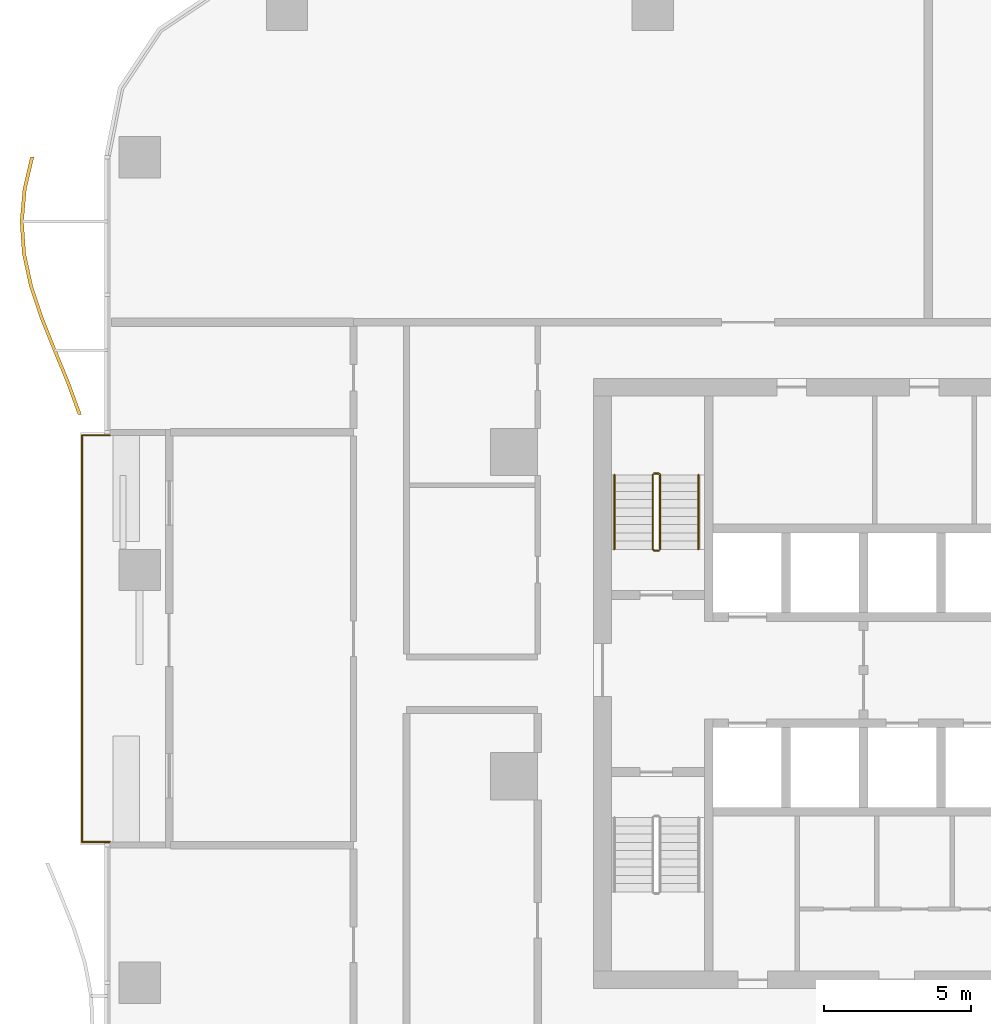
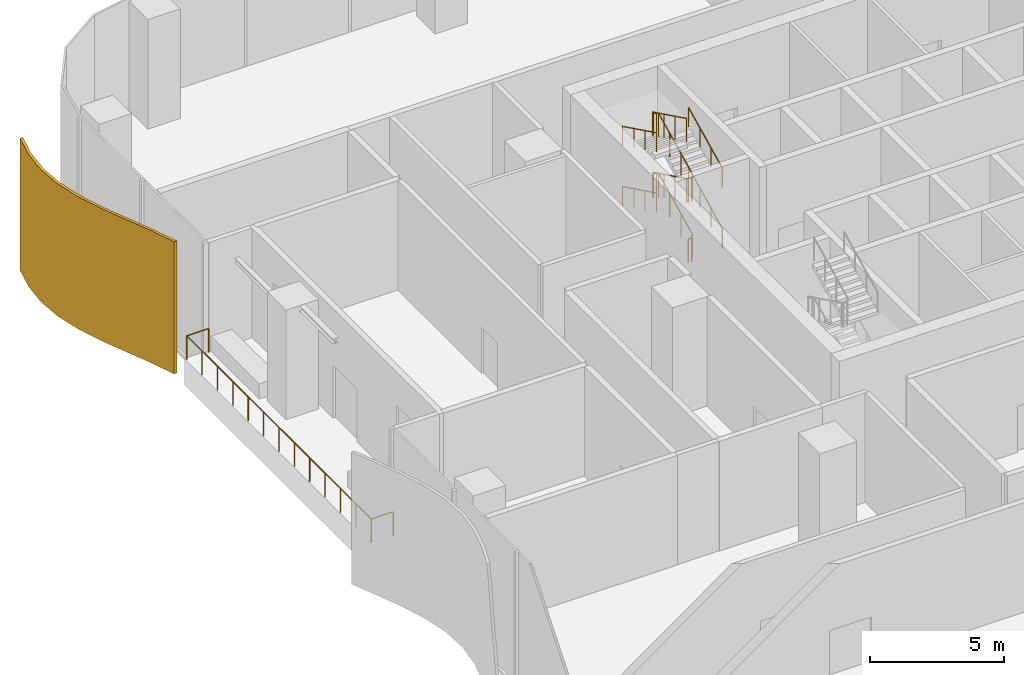
# One storey, part 18 of 21: 10 railings, 1 shading device.
"""IFC4 building model written with IfcOpenShell, lengths in metres."""

from ifc_helpers import new_model, si_unit, direction, frame, origin, origin_2d, place, context, subcontext, project, spatial, polyline, circle, outline, extrude, material, layer, layer_set, type_object, element, save


model = new_model("IFC4")

# Units and contexts
model_context = context("Model", 3, precision=1e-05, world=origin(), true_north=direction((0.0, 1.0)))
body_context = subcontext(model_context, "Body", "Model", "MODEL_VIEW")
ifc_project = project(units=[si_unit("LENGTHUNIT", "METRE"), si_unit("AREAUNIT", "SQUARE_METRE"), si_unit("VOLUMEUNIT", "CUBIC_METRE"), si_unit("PLANEANGLEUNIT", "RADIAN"), si_unit("MASSUNIT", "GRAM", prefix="KILO")], contexts=[model_context])

# Site, building, storey
site_placement = place(None, origin())
site = spatial("IfcSite", under=ifc_project, at=site_placement, CompositionType="ELEMENT")
building_placement = place(site_placement, origin())
building = spatial("IfcBuilding", under=site, at=building_placement, Name="Mopane Tessera Tower", CompositionType="ELEMENT")
storey_placement = place(building_placement, frame((0.0, 0.0, 9.0)))
storey = spatial("IfcBuildingStorey", under=building, at=storey_placement, Name="L01", CompositionType="ELEMENT", Elevation=9.0)

# Railings
ifc_material_1 = material(Name="Powder-coated steel balustrade", Category="steel")
railing_type_1 = type_object("IfcRailingType", Name="Escape stair guard 1100 mm", PredefinedType="GUARDRAIL", material=ifc_material_1)
railing_1_placement = place(storey_placement, frame((-12.14990234375, 7.699951171875, 0.137451171875)))
element("IfcRailing", 1, at=railing_1_placement, inside=storey, type_object=railing_type_1, Name="L01 ST2 stair guard 1", PredefinedType="GUARDRAIL", context=body_context, shape_type="SweptSolid", body=[
    extrude(circle(Radius=0.02392578125, at=origin_2d()), frame((0.0, 0.0, 1.076171875), z_axis=(0.0, 0.897604431175, 0.440801866075), x_axis=(-1.0, 0.0, 0.0)), (0.0, 0.0, 1.0), 2.807373046875),
    extrude(circle(Radius=0.02392578125, at=origin_2d()), frame((0.0, 2.52001953125, 2.3134765625), z_axis=(-0.707106781187, 0.707106781187, 0.0), x_axis=(-0.707106781187, -0.707106781187, 0.0)), (0.0, 0.0, 1.0), 0.07080078125),
    extrude(circle(Radius=0.02392578125, at=origin_2d()), frame((-0.050048828125, 2.570068359375, 2.3134765625), z_axis=(-1.0, 0.0, 0.0), x_axis=(0.0, -1.0, 0.0)), (0.0, 0.0, 1.0), 0.150146484375),
    extrude(circle(Radius=0.02099609375, at=origin_2d()), origin(), (0.0, 0.0, 1.0), 1.052001953125),
    extrude(circle(Radius=0.02099609375, at=origin_2d()), frame((0.0, 0.840087890625, 0.41259765625)), (0.0, 0.0, 1.0), 1.052001953125),
    extrude(circle(Radius=0.02099609375, at=origin_2d()), frame((0.0, 1.679931640625, 0.824951171875)), (0.0, 0.0, 1.0), 1.052001953125),
    extrude(circle(Radius=0.02099609375, at=origin_2d()), frame((0.0, 2.52001953125, 1.237548828125)), (0.0, 0.0, 1.0), 1.052001953125),
    extrude(circle(Radius=0.02099609375, at=origin_2d()), frame((-0.050048828125, 2.570068359375, 1.237548828125)), (0.0, 0.0, 1.0), 1.052001953125),
    extrude(circle(Radius=0.02099609375, at=origin_2d()), frame((-0.2001953125, 2.570068359375, 1.237548828125)), (0.0, 0.0, 1.0), 1.052001953125),
])
railing_2_placement = place(storey_placement, frame((-12.39990234375, 10.219970703125, 1.512451171875)))
element("IfcRailing", 2, at=railing_2_placement, inside=storey, type_object=railing_type_1, Name="L01 ST2 stair guard 2", PredefinedType="GUARDRAIL", context=body_context, shape_type="SweptSolid", body=[
    extrude(circle(Radius=0.02392578125, at=origin_2d()), frame((0.0, 0.0, 1.076171875), z_axis=(0.0, -0.897604431175, 0.440801866075), x_axis=(1.0, 0.0, 0.0)), (0.0, 0.0, 1.0), 2.807373046875),
    extrude(circle(Radius=0.02392578125, at=origin_2d()), frame((0.0, -2.52001953125, 2.3134765625), z_axis=(0.705375805398, -0.708833529934, 0.0), x_axis=(0.708833529934, 0.705375805398, 0.0)), (0.0, 0.0, 1.0), 0.070556640625),
    extrude(circle(Radius=0.02392578125, at=origin_2d()), frame((0.0498046875, -2.570068359375, 2.3134765625), z_axis=(1.0, 0.0, 0.0), x_axis=(0.0, 1.0, 0.0)), (0.0, 0.0, 1.0), 0.150146484375),
    extrude(circle(Radius=0.02099609375, at=origin_2d()), origin(), (0.0, 0.0, 1.0), 1.052001953125),
    extrude(circle(Radius=0.02099609375, at=origin_2d()), frame((0.0, -0.840087890625, 0.41259765625)), (0.0, 0.0, 1.0), 1.052001953125),
    extrude(circle(Radius=0.02099609375, at=origin_2d()), frame((0.0, -1.679931640625, 0.824951171875)), (0.0, 0.0, 1.0), 1.052001953125),
    extrude(circle(Radius=0.02099609375, at=origin_2d()), frame((0.0, -2.52001953125, 1.237548828125)), (0.0, 0.0, 1.0), 1.052001953125),
    extrude(circle(Radius=0.02099609375, at=origin_2d()), frame((0.0498046875, -2.570068359375, 1.237548828125)), (0.0, 0.0, 1.0), 1.052001953125),
    extrude(circle(Radius=0.02099609375, at=origin_2d()), frame((0.199951171875, -2.570068359375, 1.237548828125)), (0.0, 0.0, 1.0), 1.052001953125),
])
railing_3_placement = place(storey_placement, frame((-12.14990234375, 7.699951171875, 2.887451171875)))
element("IfcRailing", 3, at=railing_3_placement, inside=storey, type_object=railing_type_1, Name="L01 ST2 stair guard 3", PredefinedType="GUARDRAIL", context=body_context, shape_type="SweptSolid", body=[
    extrude(circle(Radius=0.02392578125, at=origin_2d()), frame((0.0, 0.0, 1.076171875), z_axis=(0.0, 0.897604431175, 0.440801866075), x_axis=(-1.0, 0.0, 0.0)), (0.0, 0.0, 1.0), 2.807373046875),
    extrude(circle(Radius=0.02392578125, at=origin_2d()), frame((0.0, 2.52001953125, 2.3134765625), z_axis=(-0.707106781187, 0.707106781187, 0.0), x_axis=(-0.707106781187, -0.707106781187, 0.0)), (0.0, 0.0, 1.0), 0.07080078125),
    extrude(circle(Radius=0.02392578125, at=origin_2d()), frame((-0.050048828125, 2.570068359375, 2.3134765625), z_axis=(-1.0, 0.0, 0.0), x_axis=(0.0, -1.0, 0.0)), (0.0, 0.0, 1.0), 0.150146484375),
    extrude(circle(Radius=0.02099609375, at=origin_2d()), origin(), (0.0, 0.0, 1.0), 1.052001953125),
    extrude(circle(Radius=0.02099609375, at=origin_2d()), frame((0.0, 0.840087890625, 0.41259765625)), (0.0, 0.0, 1.0), 1.052001953125),
    extrude(circle(Radius=0.02099609375, at=origin_2d()), frame((0.0, 1.679931640625, 0.824951171875)), (0.0, 0.0, 1.0), 1.052001953125),
    extrude(circle(Radius=0.02099609375, at=origin_2d()), frame((0.0, 2.52001953125, 1.237548828125)), (0.0, 0.0, 1.0), 1.052001953125),
    extrude(circle(Radius=0.02099609375, at=origin_2d()), frame((-0.050048828125, 2.570068359375, 1.237548828125)), (0.0, 0.0, 1.0), 1.052001953125),
    extrude(circle(Radius=0.02099609375, at=origin_2d()), frame((-0.2001953125, 2.570068359375, 1.237548828125)), (0.0, 0.0, 1.0), 1.052001953125),
])
railing_4_placement = place(storey_placement, frame((-12.39990234375, 10.219970703125, 4.262451171875)))
element("IfcRailing", 4, at=railing_4_placement, inside=storey, type_object=railing_type_1, Name="L01 ST2 stair guard 4", PredefinedType="GUARDRAIL", context=body_context, shape_type="SweptSolid", body=[
    extrude(circle(Radius=0.02392578125, at=origin_2d()), frame((0.0, 0.0, 1.076171875), z_axis=(0.0, -0.897604431175, 0.440801866075), x_axis=(1.0, 0.0, 0.0)), (0.0, 0.0, 1.0), 2.807373046875),
    extrude(circle(Radius=0.02099609375, at=origin_2d()), origin(), (0.0, 0.0, 1.0), 1.052001953125),
    extrude(circle(Radius=0.02099609375, at=origin_2d()), frame((0.0, -0.840087890625, 0.41259765625)), (0.0, 0.0, 1.0), 1.052001953125),
    extrude(circle(Radius=0.02099609375, at=origin_2d()), frame((0.0, -1.679931640625, 0.824951171875)), (0.0, 0.0, 1.0), 1.052001953125),
    extrude(circle(Radius=0.02099609375, at=origin_2d()), frame((0.0, -2.52001953125, 1.237548828125)), (0.0, 0.0, 1.0), 1.052001953125),
])
railing_5_placement = place(storey_placement, frame((-12.199951171875, 7.64990234375, 0.0)))
element("IfcRailing", 5, at=railing_5_placement, inside=storey, type_object=railing_type_1, Name="L01 ST2 stair guard 5", PredefinedType="GUARDRAIL", context=body_context, shape_type="SweptSolid", body=[
    extrude(circle(Radius=0.02392578125, at=origin_2d()), frame((0.0, 0.0, 1.076171875), z_axis=(-1.0, 0.0, 0.0), x_axis=(0.0, -1.0, 0.0)), (0.0, 0.0, 1.0), 0.150146484375),
    extrude(circle(Radius=0.02099609375, at=origin_2d()), origin(), (0.0, 0.0, 1.0), 1.052001953125),
    extrude(circle(Radius=0.02099609375, at=origin_2d()), frame((-0.150146484375, 0.0, 0.0)), (0.0, 0.0, 1.0), 1.052001953125),
])
ifc_material_2 = material(Name="Powder-coated steel balustrade", Category="steel")
railing_type_2 = type_object("IfcRailingType", Name="Escape stair handrail 900 mm", PredefinedType="HANDRAIL", material=ifc_material_2)
railing_6_placement = place(storey_placement, frame((-10.85009765625, 7.699951171875, 0.137451171875)))
element("IfcRailing", 6, at=railing_6_placement, inside=storey, type_object=railing_type_2, Name="L01 ST2 stair handrail 1", PredefinedType="HANDRAIL", context=body_context, shape_type="SweptSolid", body=[
    extrude(circle(Radius=0.02392578125, at=origin_2d()), frame((0.0, 0.0, 0.8759765625), z_axis=(0.0, 0.897604431175, 0.440801866075), x_axis=(-1.0, 0.0, 0.0)), (0.0, 0.0, 1.0), 2.807373046875),
    extrude(circle(Radius=0.02099609375, at=origin_2d()), origin(), (0.0, 0.0, 1.0), 0.851806640625),
    extrude(circle(Radius=0.02099609375, at=origin_2d()), frame((0.0, 0.840087890625, 0.41259765625)), (0.0, 0.0, 1.0), 0.851806640625),
    extrude(circle(Radius=0.02099609375, at=origin_2d()), frame((0.0, 1.679931640625, 0.824951171875)), (0.0, 0.0, 1.0), 0.851806640625),
    extrude(circle(Radius=0.02099609375, at=origin_2d()), frame((0.0, 2.52001953125, 1.237548828125)), (0.0, 0.0, 1.0), 0.851806640625),
])
railing_7_placement = place(storey_placement, frame((-13.699951171875, 10.219970703125, 1.512451171875)))
element("IfcRailing", 7, at=railing_7_placement, inside=storey, type_object=railing_type_2, Name="L01 ST2 stair handrail 2", PredefinedType="HANDRAIL", context=body_context, shape_type="SweptSolid", body=[
    extrude(circle(Radius=0.02392578125, at=origin_2d()), frame((0.0, 0.0, 0.8759765625), z_axis=(0.0, -0.897604431175, 0.440801866075), x_axis=(1.0, 0.0, 0.0)), (0.0, 0.0, 1.0), 2.807373046875),
    extrude(circle(Radius=0.02099609375, at=origin_2d()), origin(), (0.0, 0.0, 1.0), 0.851806640625),
    extrude(circle(Radius=0.02099609375, at=origin_2d()), frame((0.0, -0.840087890625, 0.41259765625)), (0.0, 0.0, 1.0), 0.851806640625),
    extrude(circle(Radius=0.02099609375, at=origin_2d()), frame((0.0, -1.679931640625, 0.824951171875)), (0.0, 0.0, 1.0), 0.851806640625),
    extrude(circle(Radius=0.02099609375, at=origin_2d()), frame((0.0, -2.52001953125, 1.237548828125)), (0.0, 0.0, 1.0), 0.851806640625),
])
railing_8_placement = place(storey_placement, frame((-10.85009765625, 7.699951171875, 2.887451171875)))
element("IfcRailing", 8, at=railing_8_placement, inside=storey, type_object=railing_type_2, Name="L01 ST2 stair handrail 3", PredefinedType="HANDRAIL", context=body_context, shape_type="SweptSolid", body=[
    extrude(circle(Radius=0.02392578125, at=origin_2d()), frame((0.0, 0.0, 0.8759765625), z_axis=(0.0, 0.897604431175, 0.440801866075), x_axis=(-1.0, 0.0, 0.0)), (0.0, 0.0, 1.0), 2.807373046875),
    extrude(circle(Radius=0.02099609375, at=origin_2d()), origin(), (0.0, 0.0, 1.0), 0.851806640625),
    extrude(circle(Radius=0.02099609375, at=origin_2d()), frame((0.0, 0.840087890625, 0.41259765625)), (0.0, 0.0, 1.0), 0.851806640625),
    extrude(circle(Radius=0.02099609375, at=origin_2d()), frame((0.0, 1.679931640625, 0.824951171875)), (0.0, 0.0, 1.0), 0.851806640625),
    extrude(circle(Radius=0.02099609375, at=origin_2d()), frame((0.0, 2.52001953125, 1.237548828125)), (0.0, 0.0, 1.0), 0.851806640625),
])
railing_9_placement = place(storey_placement, frame((-13.699951171875, 10.219970703125, 4.262451171875)))
element("IfcRailing", 9, at=railing_9_placement, inside=storey, type_object=railing_type_2, Name="L01 ST2 stair handrail 4", PredefinedType="HANDRAIL", context=body_context, shape_type="SweptSolid", body=[
    extrude(circle(Radius=0.02392578125, at=origin_2d()), frame((0.0, 0.0, 0.8759765625), z_axis=(0.0, -0.897604431175, 0.440801866075), x_axis=(1.0, 0.0, 0.0)), (0.0, 0.0, 1.0), 2.807373046875),
    extrude(circle(Radius=0.02099609375, at=origin_2d()), origin(), (0.0, 0.0, 1.0), 0.851806640625),
    extrude(circle(Radius=0.02099609375, at=origin_2d()), frame((0.0, -0.840087890625, 0.41259765625)), (0.0, 0.0, 1.0), 0.851806640625),
    extrude(circle(Radius=0.02099609375, at=origin_2d()), frame((0.0, -1.679931640625, 0.824951171875)), (0.0, 0.0, 1.0), 0.851806640625),
    extrude(circle(Radius=0.02099609375, at=origin_2d()), frame((0.0, -2.52001953125, 1.237548828125)), (0.0, 0.0, 1.0), 0.851806640625),
])
ifc_material_3 = material(Name="Stainless steel S316", Category="steel")
railing_type_3 = type_object("IfcRailingType", Name="Terrace guard 1100", PredefinedType="GUARDRAIL", material=ifc_material_3)
railing_10_placement = place(storey_placement, frame((-30.800048828125, 11.566650390625, 0.0)))
element("IfcRailing", 10, at=railing_10_placement, inside=storey, type_object=railing_type_3, Name="e:nw:L01:N3:guard", PredefinedType="GUARDRAIL", context=body_context, shape_type="SweptSolid", body=[
    extrude(circle(Radius=0.02392578125, at=origin_2d()), frame((0.0, 0.0, 1.076171875), z_axis=(-1.0, 0.0, 0.0), x_axis=(0.0, -1.0, 0.0)), (0.0, 0.0, 1.0), 0.949951171875),
    extrude(circle(Radius=0.02392578125, at=origin_2d()), frame((-0.949951171875, 0.0, 1.076171875), z_axis=(0.0, -1.0, 0.0), x_axis=(1.0, 0.0, 0.0)), (0.0, 0.0, 1.0), 13.800048828125),
    extrude(circle(Radius=0.02392578125, at=origin_2d()), frame((-0.949951171875, -13.800048828125, 1.076171875), z_axis=(1.0, 0.0, 0.0), x_axis=(0.0, 1.0, 0.0)), (0.0, 0.0, 1.0), 0.949951171875),
    extrude(circle(Radius=0.02099609375, at=origin_2d()), origin(), (0.0, 0.0, 1.0), 1.052001953125),
    extrude(circle(Radius=0.02099609375, at=origin_2d()), frame((-0.949951171875, 0.0, 0.0)), (0.0, 0.0, 1.0), 1.052001953125),
    extrude(circle(Radius=0.02099609375, at=origin_2d()), frame((-0.949951171875, -1.14990234375, 0.0)), (0.0, 0.0, 1.0), 1.052001953125),
    extrude(circle(Radius=0.02099609375, at=origin_2d()), frame((-0.949951171875, -2.300048828125, 0.0)), (0.0, 0.0, 1.0), 1.052001953125),
    extrude(circle(Radius=0.02099609375, at=origin_2d()), frame((-0.949951171875, -3.449951171875, 0.0)), (0.0, 0.0, 1.0), 1.052001953125),
    extrude(circle(Radius=0.02099609375, at=origin_2d()), frame((-0.949951171875, -4.60009765625, 0.0)), (0.0, 0.0, 1.0), 1.052001953125),
    extrude(circle(Radius=0.02099609375, at=origin_2d()), frame((-0.949951171875, -5.75, 0.0)), (0.0, 0.0, 1.0), 1.052001953125),
    extrude(circle(Radius=0.02099609375, at=origin_2d()), frame((-0.949951171875, -6.89990234375, 0.0)), (0.0, 0.0, 1.0), 1.052001953125),
    extrude(circle(Radius=0.02099609375, at=origin_2d()), frame((-0.949951171875, -8.050048828125, 0.0)), (0.0, 0.0, 1.0), 1.052001953125),
    extrude(circle(Radius=0.02099609375, at=origin_2d()), frame((-0.949951171875, -9.199951171875, 0.0)), (0.0, 0.0, 1.0), 1.052001953125),
    extrude(circle(Radius=0.02099609375, at=origin_2d()), frame((-0.949951171875, -10.35009765625, 0.0)), (0.0, 0.0, 1.0), 1.052001953125),
    extrude(circle(Radius=0.02099609375, at=origin_2d()), frame((-0.949951171875, -11.5, 0.0)), (0.0, 0.0, 1.0), 1.052001953125),
    extrude(circle(Radius=0.02099609375, at=origin_2d()), frame((-0.949951171875, -12.650146484375, 0.0)), (0.0, 0.0, 1.0), 1.052001953125),
    extrude(circle(Radius=0.02099609375, at=origin_2d()), frame((-0.949951171875, -13.800048828125, 0.0)), (0.0, 0.0, 1.0), 1.052001953125),
    extrude(circle(Radius=0.02099609375, at=origin_2d()), frame((0.0, -13.800048828125, 0.0)), (0.0, 0.0, 1.0), 1.052001953125),
])

# Shading device
ifc_material_4 = material(Name="Anodised aluminium louvre blades", Category="aluminium")
ifc_layer = layer(ifc_material_4, 0.1201171875)
ifc_layer_set = layer_set([ifc_layer], Name="Anodised aluminium louvre blades")
shading_device_type = type_object("IfcShadingDeviceType", Name="Wave louvre screen", PredefinedType="JALOUSIE", material=ifc_layer_set)
shading_device_placement = place(storey_placement, frame((0.0, 0.0, -1.0400390625)))
element("IfcShadingDevice", 11, at=shading_device_placement, inside=storey, type_object=shading_device_type, Name="e:lv:L01:W:0", PredefinedType="JALOUSIE", context=body_context, shape_type="SweptSolid", body=[
    extrude(outline(polyline([(-33.388427734375, 21.0), (-33.643310546875, 19.908447265625), (-33.73974609375, 18.816650390625), (-33.6640625, 17.72509765625), (-33.427001953125, 16.63330078125), (-33.06298828125, 15.541748046875), (-32.623779296875, 14.449951171875), (-32.172607421875, 13.3583984375), (-31.77392578125, 12.2666015625), (-31.89404296875, 12.2666015625), (-32.29248046875, 13.3583984375), (-32.74365234375, 14.449951171875), (-33.182861328125, 15.541748046875), (-33.547119140625, 16.63330078125), (-33.783935546875, 17.72509765625), (-33.859619140625, 18.816650390625), (-33.76318359375, 19.908447265625), (-33.508544921875, 21.0), (-33.388427734375, 21.0)])), origin(), (0.0, 0.0, 1.0), 6.0400390625),
])

save(model, "model.ifc")
